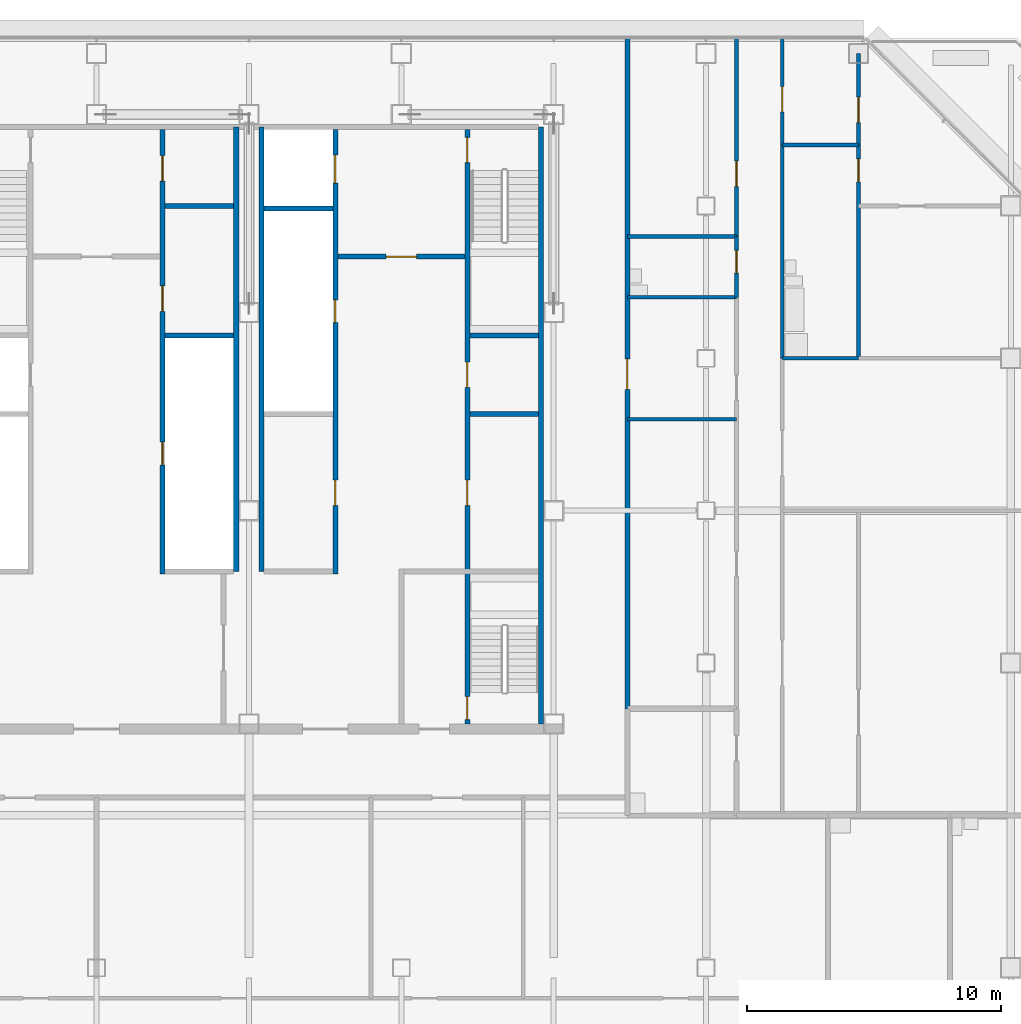
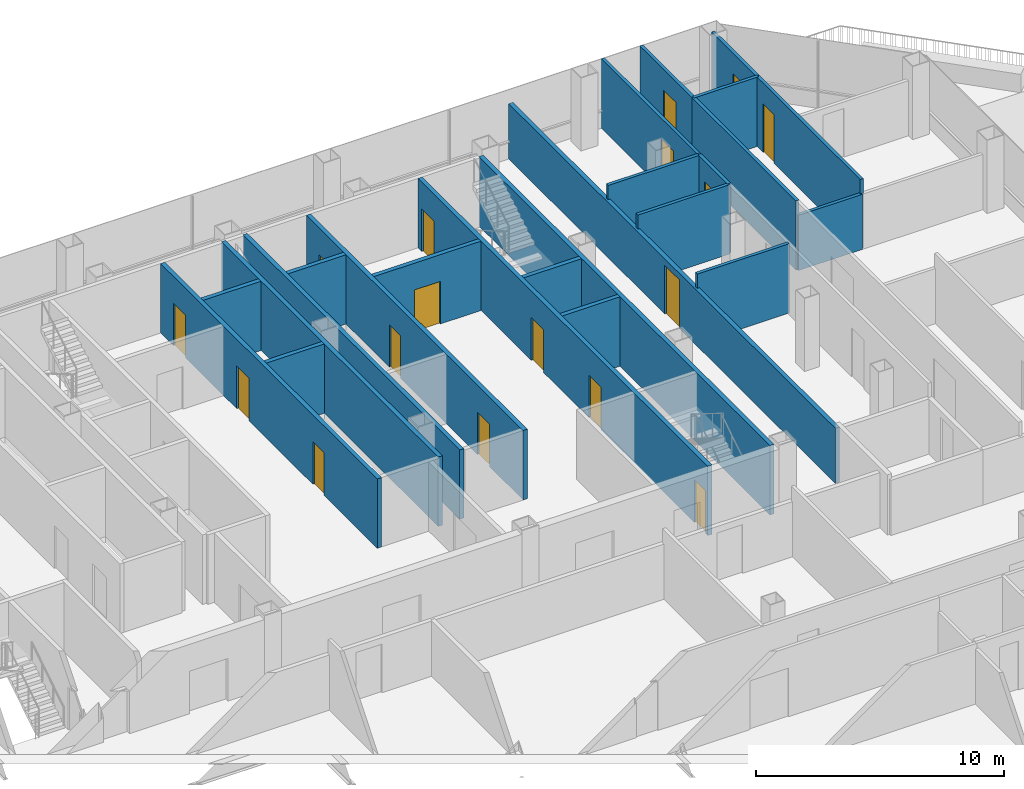
# One storey, part 20 of 28: 24 walls, 17 doors, 17 openings.
"""IFC4 building model written with IfcOpenShell, lengths in metres."""

from ifc_helpers import new_model, si_unit, direction, frame, frame_2d, origin, place, context, subcontext, project, spatial, rectangle, extrude, material, layer, layer_set, type_object, element, fill, save


model = new_model("IFC4")

# Units and contexts
model_context = context("Model", 3, precision=1e-05, world=origin(), true_north=direction((0.0, 1.0)))
body_context = subcontext(model_context, "Body", "Model", "MODEL_VIEW")
ifc_project = project(units=[si_unit("LENGTHUNIT", "METRE"), si_unit("AREAUNIT", "SQUARE_METRE"), si_unit("VOLUMEUNIT", "CUBIC_METRE"), si_unit("PLANEANGLEUNIT", "RADIAN"), si_unit("MASSUNIT", "GRAM", prefix="KILO")], contexts=[model_context])

# Site, building, storey
site_placement = place(None, origin())
site = spatial("IfcSite", under=ifc_project, at=site_placement, CompositionType="ELEMENT")
building_placement = place(site_placement, origin())
building = spatial("IfcBuilding", under=site, at=building_placement, Name="Sorahane Residences", CompositionType="ELEMENT")
storey_placement = place(building_placement, frame((0.0, 0.0, 96.199951171875)))
storey = spatial("IfcBuildingStorey", under=building, at=storey_placement, Name="L20", CompositionType="ELEMENT", Elevation=96.199951171875)

# Walls
ifc_material_1 = material(Name="Concrete C30", Category="concrete")
ifc_layer_1 = layer(ifc_material_1, 0.199951171875)
ifc_layer_set_1 = layer_set([ifc_layer_1], Name="Core face wall 200 EI 180")
wall_type_1 = type_object("IfcWallType", Name="Core face wall 200 EI 180", PredefinedType="SOLIDWALL", material=ifc_layer_set_1)
wall_1_placement = place(storey_placement, frame((41.5, 21.60009765625, 0.0), z_axis=(0.0, 0.0, 1.0), x_axis=(0.0, 1.0, 0.0)))
element("IfcWall", 1, at=wall_1_placement, inside=storey, type_object=wall_type_1, Name="L20 core face wall", PredefinedType="SOLIDWALL", context=body_context, shape_type="SweptSolid", body=[
    extrude(rectangle(XDim=23.5, YDim=0.199951171875, at=frame_2d((11.75, 0.0))), origin(), (0.0, 0.0, 1.0), 3.420166015625),
])
for number, where, z_axis, x_axis, name in (
    (2, (29.5, 27.60009765625, 0.0), (0.0, 0.0, 1.0), (0.0, 1.0, 0.0), "L20 core face wall"),
    (3, (30.5, 27.60009765625, 0.0), (0.0, 0.0, 1.0), (0.0, 1.0, 0.0), "L20 core face wall"),
):
    element("IfcWall", number, at=place(storey_placement, frame(where, z_axis=z_axis, x_axis=x_axis)), inside=storey, type_object=wall_type_1, Name=name, PredefinedType="SOLIDWALL", context=body_context, shape_type="SweptSolid", body=[
        extrude(rectangle(XDim=17.5, YDim=0.199951171875, at=frame_2d((8.75, 0.0))), origin(), (0.0, 0.0, 1.0), 3.420166015625),
    ])

# Wall, opening, door
ifc_material_2 = material(Name="Concrete blockwork C20 wall", Category="masonry")
ifc_layer_2 = layer(ifc_material_2, 0.199951171875)
ifc_layer_set_2 = layer_set([ifc_layer_2], Name="Corridor wall 200 EI 120")
wall_type_2 = type_object("IfcWallType", Name="Corridor wall 200 EI 120", PredefinedType="SOLIDWALL", material=ifc_layer_set_2)
wall_2_placement = place(storey_placement, frame((44.89990234375, 22.199951171875, 0.0), z_axis=(0.0, 0.0, 1.0), x_axis=(0.0, 1.0, 0.0)))
wall_2 = element("IfcWall", 4, at=wall_2_placement, inside=storey, type_object=wall_type_2, Name="L20 corridor wall", PredefinedType="SOLIDWALL", context=body_context, shape_type="SweptSolid", body=[
    extrude(rectangle(XDim=26.400146484375, YDim=0.199951171875, at=frame_2d((13.2001953125, 0.0))), origin(), (0.0, 0.0, 1.0), 2.719970703125),
])
opening_1_placement = place(wall_2_placement, frame((12.580078125, 0.0, 0.0)))
opening_1 = element("IfcOpeningElement", 5, at=opening_1_placement, cuts=wall_2, Name="Opening L20-40", PredefinedType="OPENING", context=body_context, shape_type="SweptSolid", body=[
    extrude(rectangle(XDim=1.199951171875, YDim=2.39990234375, at=frame_2d((0.60009765625, 1.199951171875))), frame((0.0, 0.10986328125, 0.0), z_axis=(0.0, -1.0, 0.0), x_axis=(1.0, 0.0, 0.0)), (0.0, 0.0, 1.0), 0.219970703125),
])
ifc_material_3 = material(Name="Timber veneered fire door", Category="wood")
door_type_1 = type_object("IfcDoorType", Name="Flat entrance door 1200x2400 FD60", OperationType="NOTDEFINED", PredefinedType="DOOR", material=ifc_material_3)
door_1_placement = place(opening_1_placement, frame((1.199951171875, 0.0, 0.0), z_axis=(0.0, 0.0, 1.0), x_axis=(-1.0, 0.0, 0.0)))
door_1 = element("IfcDoor", 6, at=door_1_placement, inside=storey, type_object=door_type_1, Name="Flat entrance door L20-40", OperationType="SINGLE_SWING_LEFT", OverallHeight=2.39990234375, OverallWidth=1.199951171875, PredefinedType="DOOR", context=body_context, shape_type="SweptSolid", body=[
    extrude(rectangle(XDim=1.199951171875, YDim=2.39990234375, at=frame_2d((0.60009765625, 1.199951171875))), frame((0.0, 0.02490234375, 0.0), z_axis=(0.0, -1.0, 0.0), x_axis=(1.0, 0.0, 0.0)), (0.0, 0.0, 1.0), 0.050048828125),
])
fill(opening_1, door_1)

ifc_material_4 = material(Name="Concrete C30", Category="concrete")
ifc_layer_3 = layer(ifc_material_4, 0.199951171875)
ifc_layer_set_3 = layer_set([ifc_layer_3], Name="Front room wall 200 EI 120")
wall_type_3 = type_object("IfcWallType", Name="Front room wall 200 EI 120", PredefinedType="PARTITIONING", material=ifc_layer_set_3)
wall_3_placement = place(storey_placement, frame((33.5, 40.0, 0.0), z_axis=(0.0, 0.0, 1.0), x_axis=(1.0, 0.0, 0.0)))
wall_3 = element("IfcWall", 7, at=wall_3_placement, inside=storey, type_object=wall_type_3, Name="L20 front room wall", PredefinedType="PARTITIONING", context=body_context, shape_type="SweptSolid", body=[
    extrude(rectangle(XDim=5.0, YDim=0.199951171875, at=frame_2d((2.5, 0.0))), origin(), (0.0, 0.0, 1.0), 3.420166015625),
])
opening_2_placement = place(wall_3_placement, frame((1.89990234375, 0.0, 0.0)))
opening_2 = element("IfcOpeningElement", 8, at=opening_2_placement, cuts=wall_3, Name="Opening L20-C10", PredefinedType="OPENING", context=body_context, shape_type="SweptSolid", body=[
    extrude(rectangle(XDim=1.199951171875, YDim=2.10009765625, at=frame_2d((0.60009765625, 1.050048828125))), frame((0.0, 0.10986328125, 0.0), z_axis=(0.0, -1.0, 0.0), x_axis=(1.0, 0.0, 0.0)), (0.0, 0.0, 1.0), 0.219970703125),
])
ifc_material_5 = material(Name="Steel", Category="steel")
door_type_2 = type_object("IfcDoorType", Name="Front room door 1200x2100 FD120", OperationType="NOTDEFINED", PredefinedType="DOOR", material=ifc_material_5)
door_2_placement = place(opening_2_placement, frame((1.199951171875, 0.0, 0.0), z_axis=(0.0, 0.0, 1.0), x_axis=(-1.0, 0.0, 0.0)))
door_2 = element("IfcDoor", 9, at=door_2_placement, inside=storey, type_object=door_type_2, Name="Front room door Firefighting lobby FF2 front room L20", OperationType="DOUBLE_DOOR_SINGLE_SWING", OverallHeight=2.10009765625, OverallWidth=1.199951171875, PredefinedType="DOOR", context=body_context, shape_type="SweptSolid", body=[
    extrude(rectangle(XDim=1.199951171875, YDim=2.10009765625, at=frame_2d((0.60009765625, 1.050048828125))), frame((0.0, 0.02490234375, 0.0), z_axis=(0.0, -1.0, 0.0), x_axis=(1.0, 0.0, 0.0)), (0.0, 0.0, 1.0), 0.050048828125),
])
fill(opening_2, door_2)

# Wall, openings, doors
ifc_material_6 = material(Name="Concrete C30", Category="concrete")
ifc_layer_4 = layer(ifc_material_6, 0.199951171875)
ifc_layer_set_4 = layer_set([ifc_layer_4], Name="Lift shaft wall 200 EI 120")
wall_type_4 = type_object("IfcWallType", Name="Lift shaft wall 200 EI 120", PredefinedType="SOLIDWALL", material=ifc_layer_set_4)
wall_4_placement = place(storey_placement, frame((33.39990234375, 27.5, 0.0), z_axis=(0.0, 0.0, 1.0), x_axis=(0.0, 1.0, 0.0)))
wall_4 = element("IfcWall", 10, at=wall_4_placement, inside=storey, type_object=wall_type_4, Name="L20 lift shaft wall", PredefinedType="SOLIDWALL", context=body_context, shape_type="SweptSolid", body=[
    extrude(rectangle(XDim=17.5, YDim=0.199951171875, at=frame_2d((8.75, 0.0))), origin(), (0.0, 0.0, 1.0), 3.420166015625),
])
opening_3_placement = place(wall_4_placement, frame((15.39990234375, 0.0, 0.0)))
opening_3 = element("IfcOpeningElement", 11, at=opening_3_placement, cuts=wall_4, Name="Opening L20-C11", PredefinedType="OPENING", context=body_context, shape_type="SweptSolid", body=[
    extrude(rectangle(XDim=1.10009765625, YDim=2.10009765625, at=frame_2d((0.550048828125, 1.050048828125))), frame((0.0, 0.10986328125, 0.0), z_axis=(0.0, -1.0, 0.0), x_axis=(1.0, 0.0, 0.0)), (0.0, 0.0, 1.0), 0.219970703125),
])
opening_4_placement = place(wall_4_placement, frame((2.699951171875, 0.0, 0.0)))
opening_4 = element("IfcOpeningElement", 12, at=opening_4_placement, cuts=wall_4, Name="Opening L20-C20", PredefinedType="OPENING", context=body_context, shape_type="SweptSolid", body=[
    extrude(rectangle(XDim=1.0, YDim=2.10009765625, at=frame_2d((0.5, 1.050048828125))), frame((0.0, 0.10986328125, 0.0), z_axis=(0.0, -1.0, 0.0), x_axis=(1.0, 0.0, 0.0)), (0.0, 0.0, 1.0), 0.219970703125),
])
opening_5_placement = place(wall_4_placement, frame((9.89990234375, 0.0, 0.0)))
opening_5 = element("IfcOpeningElement", 13, at=opening_5_placement, cuts=wall_4, Name="Opening L20-C27", PredefinedType="OPENING", context=body_context, shape_type="SweptSolid", body=[
    extrude(rectangle(XDim=0.89990234375, YDim=2.10009765625, at=frame_2d((0.449951171875, 1.050048828125))), frame((0.0, 0.10986328125, 0.0), z_axis=(0.0, -1.0, 0.0), x_axis=(1.0, 0.0, 0.0)), (0.0, 0.0, 1.0), 0.219970703125),
])
ifc_material_7 = material(Name="Aluminium and stainless steel", Category="steel")
door_type_3 = type_object("IfcDoorType", Name="Lift landing door 1100x2100 E 60", OperationType="NOTDEFINED", PredefinedType="DOOR", material=ifc_material_7)
door_3_placement = place(opening_3_placement, origin())
door_3 = element("IfcDoor", 14, at=door_3_placement, inside=storey, type_object=door_type_3, Name="Lift landing door FF2 L20", OperationType="DOUBLE_DOOR_SLIDING", OverallHeight=2.10009765625, OverallWidth=1.10009765625, PredefinedType="DOOR", context=body_context, shape_type="SweptSolid", body=[
    extrude(rectangle(XDim=1.10009765625, YDim=2.10009765625, at=frame_2d((0.550048828125, 1.050048828125))), frame((0.0, 0.02490234375, 0.0), z_axis=(0.0, -1.0, 0.0), x_axis=(1.0, 0.0, 0.0)), (0.0, 0.0, 1.0), 0.050048828125),
])
fill(opening_3, door_3)
ifc_material_8 = material(Name="Steel", Category="steel")
door_type_4 = type_object("IfcDoorType", Name="Riser door 900x2100 FD120", OperationType="NOTDEFINED", PredefinedType="DOOR", material=ifc_material_8)
door_4_placement = place(opening_5_placement, frame((0.89990234375, 0.0, 0.0), z_axis=(0.0, 0.0, 1.0), x_axis=(-1.0, 0.0, 0.0)))
door_4 = element("IfcDoor", 15, at=door_4_placement, inside=storey, type_object=door_type_4, Name="Riser door R2 L20", OperationType="SINGLE_SWING_LEFT", OverallHeight=2.10009765625, OverallWidth=0.89990234375, PredefinedType="DOOR", context=body_context, shape_type="SweptSolid", body=[
    extrude(rectangle(XDim=0.89990234375, YDim=2.10009765625, at=frame_2d((0.449951171875, 1.050048828125))), frame((0.0, 0.02490234375, 0.0), z_axis=(0.0, -1.0, 0.0), x_axis=(1.0, 0.0, 0.0)), (0.0, 0.0, 1.0), 0.050048828125),
])
fill(opening_5, door_4)
ifc_material_9 = material(Name="Steel", Category="steel")
door_type_5 = type_object("IfcDoorType", Name="Service room door 1000x2100 FD60", OperationType="NOTDEFINED", PredefinedType="DOOR", material=ifc_material_9)
door_5_placement = place(opening_4_placement, origin())
door_5 = element("IfcDoor", 16, at=door_5_placement, inside=storey, type_object=door_type_5, Name="Service room door Gift store L20", OperationType="SINGLE_SWING_RIGHT", OverallHeight=2.10009765625, OverallWidth=1.0, PredefinedType="DOOR", context=body_context, shape_type="SweptSolid", body=[
    extrude(rectangle(XDim=1.0, YDim=2.10009765625, at=frame_2d((0.5, 1.050048828125))), frame((0.0, 0.02490234375, 0.0), z_axis=(0.0, -1.0, 0.0), x_axis=(1.0, 0.0, 0.0)), (0.0, 0.0, 1.0), 0.050048828125),
])
fill(opening_4, door_5)

# Wall
wall_5_placement = place(storey_placement, frame((30.60009765625, 41.89990234375, 0.0), z_axis=(0.0, 0.0, 1.0), x_axis=(1.0, 0.0, 0.0)))
element("IfcWall", 17, at=wall_5_placement, inside=storey, type_object=wall_type_4, Name="L20 lift shaft wall", PredefinedType="SOLIDWALL", context=body_context, shape_type="SweptSolid", body=[
    extrude(rectangle(XDim=2.699951171875, YDim=0.199951171875, at=frame_2d((1.35009765625, 0.0))), origin(), (0.0, 0.0, 1.0), 3.420166015625),
])

# Wall, opening, door
ifc_material_10 = material(Name="Gypsum board partition on steel studs", Category="steel")
ifc_layer_5 = layer(ifc_material_10, 0.14990234375)
ifc_layer_set_5 = layer_set([ifc_layer_5], Name="Partition 150 EI 90")
wall_type_5 = type_object("IfcWallType", Name="Partition 150 EI 90", PredefinedType="PARTITIONING", material=ifc_layer_set_5)
wall_6_placement = place(storey_placement, frame((49.199951171875, 40.800048828125, 0.0), z_axis=(0.0, 0.0, 1.0), x_axis=(0.0, 1.0, 0.0)))
wall_6 = element("IfcWall", 18, at=wall_6_placement, inside=storey, type_object=wall_type_5, Name="L20 partition", PredefinedType="PARTITIONING", context=body_context, shape_type="SweptSolid", body=[
    extrude(rectangle(XDim=7.800048828125, YDim=0.14990234375, at=frame_2d((3.89990234375, 0.0))), origin(), (0.0, 0.0, 1.0), 3.420166015625),
])
opening_6_placement = place(wall_6_placement, frame((1.9599609375, 0.0, 0.0)))
opening_6 = element("IfcOpeningElement", 19, at=opening_6_placement, cuts=wall_6, Name="Opening L20-30", PredefinedType="OPENING", context=body_context, shape_type="SweptSolid", body=[
    extrude(rectangle(XDim=1.0, YDim=2.39990234375, at=frame_2d((0.5, 1.199951171875))), frame((0.0, 0.0849609375, 0.0), z_axis=(0.0, -1.0, 0.0), x_axis=(1.0, 0.0, 0.0)), (0.0, 0.0, 1.0), 0.169921875),
])
ifc_material_11 = material(Name="Timber veneered fire door", Category="wood")
door_type_6 = type_object("IfcDoorType", Name="Room door 1000x2400 FD30", OperationType="NOTDEFINED", PredefinedType="DOOR", material=ifc_material_11)
door_6_placement = place(opening_6_placement, origin())
door_6 = element("IfcDoor", 20, at=door_6_placement, inside=storey, type_object=door_type_6, Name="Room door L20-30", OperationType="SINGLE_SWING_RIGHT", OverallHeight=2.39990234375, OverallWidth=1.0, PredefinedType="DOOR", context=body_context, shape_type="SweptSolid", body=[
    extrude(rectangle(XDim=1.0, YDim=2.39990234375, at=frame_2d((0.5, 1.199951171875))), frame((0.0, 0.02490234375, 0.0), z_axis=(0.0, -1.0, 0.0), x_axis=(1.0, 0.0, 0.0)), (0.0, 0.0, 1.0), 0.050048828125),
])
fill(opening_6, door_6)

wall_7_placement = place(storey_placement, frame((51.0, 44.39990234375, 0.0), z_axis=(0.0, 0.0, 1.0), x_axis=(0.0, 1.0, 0.0)))
wall_7 = element("IfcWall", 21, at=wall_7_placement, inside=storey, type_object=wall_type_5, Name="L20 partition", PredefinedType="PARTITIONING", context=body_context, shape_type="SweptSolid", body=[
    extrude(rectangle(XDim=4.2001953125, YDim=0.14990234375, at=frame_2d((2.10009765625, 0.0))), origin(), (0.0, 0.0, 1.0), 3.420166015625),
])
opening_7_placement = place(wall_7_placement, frame((1.300048828125, 0.0, 0.0)))
opening_7 = element("IfcOpeningElement", 22, at=opening_7_placement, cuts=wall_7, Name="Opening L20-33", PredefinedType="OPENING", context=body_context, shape_type="SweptSolid", body=[
    extrude(rectangle(XDim=1.0, YDim=2.39990234375, at=frame_2d((0.5, 1.199951171875))), frame((0.0, 0.0849609375, 0.0), z_axis=(0.0, -1.0, 0.0), x_axis=(1.0, 0.0, 0.0)), (0.0, 0.0, 1.0), 0.169921875),
])
door_7_placement = place(opening_7_placement, frame((1.0, 0.0, 0.0), z_axis=(0.0, 0.0, 1.0), x_axis=(-1.0, 0.0, 0.0)))
door_7 = element("IfcDoor", 23, at=door_7_placement, inside=storey, type_object=door_type_6, Name="Room door L20-33", OperationType="SINGLE_SWING_LEFT", OverallHeight=2.39990234375, OverallWidth=1.0, PredefinedType="DOOR", context=body_context, shape_type="SweptSolid", body=[
    extrude(rectangle(XDim=1.0, YDim=2.39990234375, at=frame_2d((0.5, 1.199951171875))), frame((0.0, 0.02490234375, 0.0), z_axis=(0.0, -1.0, 0.0), x_axis=(1.0, 0.0, 0.0)), (0.0, 0.0, 1.0), 0.050048828125),
])
fill(opening_7, door_7)

wall_8_placement = place(storey_placement, frame((54.0, 44.39990234375, 0.0), z_axis=(0.0, 0.0, 1.0), x_axis=(0.0, 1.0, 0.0)))
wall_8 = element("IfcWall", 24, at=wall_8_placement, inside=storey, type_object=wall_type_5, Name="L20 partition", PredefinedType="PARTITIONING", context=body_context, shape_type="SweptSolid", body=[
    extrude(rectangle(XDim=3.60009765625, YDim=0.14990234375, at=frame_2d((1.800048828125, 0.0))), origin(), (0.0, 0.0, 1.0), 3.420166015625),
])
opening_8_placement = place(wall_8_placement, frame((0.8798828125, 0.0, 0.0)))
opening_8 = element("IfcOpeningElement", 25, at=opening_8_placement, cuts=wall_8, Name="Opening L20-35", PredefinedType="OPENING", context=body_context, shape_type="SweptSolid", body=[
    extrude(rectangle(XDim=1.0, YDim=2.39990234375, at=frame_2d((0.5, 1.199951171875))), frame((0.0, 0.0849609375, 0.0), z_axis=(0.0, -1.0, 0.0), x_axis=(1.0, 0.0, 0.0)), (0.0, 0.0, 1.0), 0.169921875),
])
door_8_placement = place(opening_8_placement, frame((1.0, 0.0, 0.0), z_axis=(0.0, 0.0, 1.0), x_axis=(-1.0, 0.0, 0.0)))
door_8 = element("IfcDoor", 26, at=door_8_placement, inside=storey, type_object=door_type_6, Name="Room door L20-35", OperationType="SINGLE_SWING_LEFT", OverallHeight=2.39990234375, OverallWidth=1.0, PredefinedType="DOOR", context=body_context, shape_type="SweptSolid", body=[
    extrude(rectangle(XDim=1.0, YDim=2.39990234375, at=frame_2d((0.5, 1.199951171875))), frame((0.0, 0.02490234375, 0.0), z_axis=(0.0, -1.0, 0.0), x_axis=(1.0, 0.0, 0.0)), (0.0, 0.0, 1.0), 0.050048828125),
])
fill(opening_8, door_8)

# Wall
wall_9_placement = place(storey_placement, frame((44.89990234375, 33.60009765625, 0.0), z_axis=(0.0, 0.0, 1.0), x_axis=(1.0, 0.0, 0.0)))
element("IfcWall", 27, at=wall_9_placement, inside=storey, type_object=wall_type_5, Name="L20 partition", PredefinedType="PARTITIONING", context=body_context, shape_type="SweptSolid", body=[
    extrude(rectangle(XDim=4.300048828125, YDim=0.14990234375, at=frame_2d((2.14990234375, 0.0))), origin(), (0.0, 0.0, 1.0), 3.420166015625),
])

# Wall, openings, doors
ifc_material_12 = material(Name="Concrete C30", Category="concrete")
ifc_layer_6 = layer(ifc_material_12, 0.199951171875)
ifc_layer_set_6 = layer_set([ifc_layer_6], Name="Riser shaft wall 200 EI 120")
wall_type_6 = type_object("IfcWallType", Name="Riser shaft wall 200 EI 120", PredefinedType="SOLIDWALL", material=ifc_layer_set_6)
wall_10_placement = place(storey_placement, frame((26.60009765625, 27.5, 0.0), z_axis=(0.0, 0.0, 1.0), x_axis=(0.0, 1.0, 0.0)))
wall_10 = element("IfcWall", 28, at=wall_10_placement, inside=storey, type_object=wall_type_6, Name="L20 riser wall", PredefinedType="SOLIDWALL", context=body_context, shape_type="SweptSolid", body=[
    extrude(rectangle(XDim=17.5, YDim=0.199951171875, at=frame_2d((8.75, 0.0))), origin(), (0.0, 0.0, 1.0), 3.420166015625),
])
opening_9_placement = place(wall_10_placement, frame((4.300048828125, 0.0, 0.0)))
opening_9 = element("IfcOpeningElement", 29, at=opening_9_placement, cuts=wall_10, Name="Opening L20-C29", PredefinedType="OPENING", context=body_context, shape_type="SweptSolid", body=[
    extrude(rectangle(XDim=0.89990234375, YDim=2.10009765625, at=frame_2d((0.449951171875, 1.050048828125))), frame((0.0, 0.10986328125, 0.0), z_axis=(0.0, -1.0, 0.0), x_axis=(1.0, 0.0, 0.0)), (0.0, 0.0, 1.0), 0.219970703125),
])
opening_10_placement = place(wall_10_placement, frame((10.35009765625, 0.0, 0.0)))
opening_10 = element("IfcOpeningElement", 30, at=opening_10_placement, cuts=wall_10, Name="Opening L20-C30", PredefinedType="OPENING", context=body_context, shape_type="SweptSolid", body=[
    extrude(rectangle(XDim=1.0, YDim=2.10009765625, at=frame_2d((0.5, 1.050048828125))), frame((0.0, 0.10986328125, 0.0), z_axis=(0.0, -1.0, 0.0), x_axis=(1.0, 0.0, 0.0)), (0.0, 0.0, 1.0), 0.219970703125),
])
opening_11_placement = place(wall_10_placement, frame((15.47509765625, 0.0, 0.0)))
opening_11 = element("IfcOpeningElement", 31, at=opening_11_placement, cuts=wall_10, Name="Opening L20-C31", PredefinedType="OPENING", context=body_context, shape_type="SweptSolid", body=[
    extrude(rectangle(XDim=1.0, YDim=2.10009765625, at=frame_2d((0.5, 1.050048828125))), frame((0.0, 0.10986328125, 0.0), z_axis=(0.0, -1.0, 0.0), x_axis=(1.0, 0.0, 0.0)), (0.0, 0.0, 1.0), 0.219970703125),
])
door_9_placement = place(opening_9_placement, origin())
door_9 = element("IfcDoor", 32, at=door_9_placement, inside=storey, type_object=door_type_4, Name="Riser door R4 L20", OperationType="SINGLE_SWING_LEFT", OverallHeight=2.10009765625, OverallWidth=0.89990234375, PredefinedType="DOOR", context=body_context, shape_type="SweptSolid", body=[
    extrude(rectangle(XDim=0.89990234375, YDim=2.10009765625, at=frame_2d((0.449951171875, 1.050048828125))), frame((0.0, 0.02490234375, 0.0), z_axis=(0.0, -1.0, 0.0), x_axis=(1.0, 0.0, 0.0)), (0.0, 0.0, 1.0), 0.050048828125),
])
fill(opening_9, door_9)
door_10_placement = place(opening_10_placement, frame((1.0, 0.0, 0.0), z_axis=(0.0, 0.0, 1.0), x_axis=(-1.0, 0.0, 0.0)))
door_10 = element("IfcDoor", 33, at=door_10_placement, inside=storey, type_object=door_type_5, Name="Service room door Parcel room L20", OperationType="SINGLE_SWING_LEFT", OverallHeight=2.10009765625, OverallWidth=1.0, PredefinedType="DOOR", context=body_context, shape_type="SweptSolid", body=[
    extrude(rectangle(XDim=1.0, YDim=2.10009765625, at=frame_2d((0.5, 1.050048828125))), frame((0.0, 0.02490234375, 0.0), z_axis=(0.0, -1.0, 0.0), x_axis=(1.0, 0.0, 0.0)), (0.0, 0.0, 1.0), 0.050048828125),
])
fill(opening_10, door_10)
door_11_placement = place(opening_11_placement, frame((1.0, 0.0, 0.0), z_axis=(0.0, 0.0, 1.0), x_axis=(-1.0, 0.0, 0.0)))
door_11 = element("IfcDoor", 34, at=door_11_placement, inside=storey, type_object=door_type_5, Name="Service room door Refuse room L20", OperationType="SINGLE_SWING_RIGHT", OverallHeight=2.10009765625, OverallWidth=1.0, PredefinedType="DOOR", context=body_context, shape_type="SweptSolid", body=[
    extrude(rectangle(XDim=1.0, YDim=2.10009765625, at=frame_2d((0.5, 1.050048828125))), frame((0.0, 0.02490234375, 0.0), z_axis=(0.0, -1.0, 0.0), x_axis=(1.0, 0.0, 0.0)), (0.0, 0.0, 1.0), 0.050048828125),
])
fill(opening_11, door_11)

# Walls
wall_11_placement = place(storey_placement, frame((26.699951171875, 36.89990234375, 0.0), z_axis=(0.0, 0.0, 1.0), x_axis=(1.0, 0.0, 0.0)))
element("IfcWall", 35, at=wall_11_placement, inside=storey, type_object=wall_type_6, Name="L20 riser wall", PredefinedType="SOLIDWALL", context=body_context, shape_type="SweptSolid", body=[
    extrude(rectangle(XDim=2.699951171875, YDim=0.199951171875, at=frame_2d((1.35009765625, 0.0))), origin(), (0.0, 0.0, 1.0), 3.420166015625),
])
ifc_material_13 = material(Name="Concrete C30", Category="concrete")
ifc_layer_7 = layer(ifc_material_13, 0.199951171875)
ifc_layer_set_7 = layer_set([ifc_layer_7], Name="Service room partition 200 EI 60")
wall_type_7 = type_object("IfcWallType", Name="Service room partition 200 EI 60", PredefinedType="PARTITIONING", material=ifc_layer_set_7)
for number, where, z_axis, x_axis, name in (
    (36, (38.699951171875, 33.800048828125, 0.0), (0.0, 0.0, 1.0), (1.0, 0.0, 0.0), "L20 service room wall"),
    (37, (26.699951171875, 42.0, 0.0), (0.0, 0.0, 1.0), (1.0, 0.0, 0.0), "L20 service room wall"),
):
    element("IfcWall", number, at=place(storey_placement, frame(where, z_axis=z_axis, x_axis=x_axis)), inside=storey, type_object=wall_type_7, Name=name, PredefinedType="PARTITIONING", context=body_context, shape_type="SweptSolid", body=[
        extrude(rectangle(XDim=2.699951171875, YDim=0.199951171875, at=frame_2d((1.35009765625, 0.0))), origin(), (0.0, 0.0, 1.0), 3.420166015625),
    ])

# Wall, openings, doors
ifc_material_14 = material(Name="Concrete C30", Category="concrete")
ifc_layer_8 = layer(ifc_material_14, 0.199951171875)
ifc_layer_set_8 = layer_set([ifc_layer_8], Name="Stair enclosure wall 200 EI 120")
wall_type_8 = type_object("IfcWallType", Name="Stair enclosure wall 200 EI 120", PredefinedType="SOLIDWALL", material=ifc_layer_set_8)
wall_12_placement = place(storey_placement, frame((38.60009765625, 21.60009765625, 0.0), z_axis=(0.0, 0.0, 1.0), x_axis=(0.0, 1.0, 0.0)))
wall_12 = element("IfcWall", 38, at=wall_12_placement, inside=storey, type_object=wall_type_8, Name="L20 stair enclosure wall", PredefinedType="SOLIDWALL", context=body_context, shape_type="SweptSolid", body=[
    extrude(rectangle(XDim=23.39990234375, YDim=0.199951171875, at=frame_2d((11.699951171875, 0.0))), origin(), (0.0, 0.0, 1.0), 3.420166015625),
])
opening_12_placement = place(wall_12_placement, frame((8.60009765625, 0.0, 0.0)))
opening_12 = element("IfcOpeningElement", 39, at=opening_12_placement, cuts=wall_12, Name="Opening L20-C18", PredefinedType="OPENING", context=body_context, shape_type="SweptSolid", body=[
    extrude(rectangle(XDim=1.0, YDim=2.10009765625, at=frame_2d((0.5, 1.050048828125))), frame((0.0, 0.10986328125, 0.0), z_axis=(0.0, -1.0, 0.0), x_axis=(1.0, 0.0, 0.0)), (0.0, 0.0, 1.0), 0.219970703125),
])
opening_13_placement = place(wall_12_placement, frame((13.25, 0.0, 0.0)))
opening_13 = element("IfcOpeningElement", 40, at=opening_13_placement, cuts=wall_12, Name="Opening L20-C19", PredefinedType="OPENING", context=body_context, shape_type="SweptSolid", body=[
    extrude(rectangle(XDim=1.0, YDim=2.10009765625, at=frame_2d((0.5, 1.050048828125))), frame((0.0, 0.10986328125, 0.0), z_axis=(0.0, -1.0, 0.0), x_axis=(1.0, 0.0, 0.0)), (0.0, 0.0, 1.0), 0.219970703125),
])
opening_14_placement = place(wall_12_placement, frame((22.10009765625, 0.0, 0.0)))
opening_14 = element("IfcOpeningElement", 41, at=opening_14_placement, cuts=wall_12, Name="Opening L20-C22", PredefinedType="OPENING", context=body_context, shape_type="SweptSolid", body=[
    extrude(rectangle(XDim=1.0, YDim=2.10009765625, at=frame_2d((0.5, 1.050048828125))), frame((0.0, 0.10986328125, 0.0), z_axis=(0.0, -1.0, 0.0), x_axis=(1.0, 0.0, 0.0)), (0.0, 0.0, 1.0), 0.219970703125),
])
opening_15_placement = place(wall_12_placement, frame((0.175048828125, 0.0, 0.0)))
opening_15 = element("IfcOpeningElement", 42, at=opening_15_placement, cuts=wall_12, Name="Opening L20-C25", PredefinedType="OPENING", context=body_context, shape_type="SweptSolid", body=[
    extrude(rectangle(XDim=0.89990234375, YDim=2.10009765625, at=frame_2d((0.449951171875, 1.050048828125))), frame((0.0, 0.10986328125, 0.0), z_axis=(0.0, -1.0, 0.0), x_axis=(1.0, 0.0, 0.0)), (0.0, 0.0, 1.0), 0.219970703125),
])
door_12_placement = place(opening_12_placement, frame((1.0, 0.0, 0.0), z_axis=(0.0, 0.0, 1.0), x_axis=(-1.0, 0.0, 0.0)))
door_12 = element("IfcDoor", 43, at=door_12_placement, inside=storey, type_object=door_type_5, Name="Service room door Gift store L20", OperationType="SINGLE_SWING_RIGHT", OverallHeight=2.10009765625, OverallWidth=1.0, PredefinedType="DOOR", context=body_context, shape_type="SweptSolid", body=[
    extrude(rectangle(XDim=1.0, YDim=2.10009765625, at=frame_2d((0.5, 1.050048828125))), frame((0.0, 0.02490234375, 0.0), z_axis=(0.0, -1.0, 0.0), x_axis=(1.0, 0.0, 0.0)), (0.0, 0.0, 1.0), 0.050048828125),
])
fill(opening_12, door_12)
door_13_placement = place(opening_13_placement, frame((1.0, 0.0, 0.0), z_axis=(0.0, 0.0, 1.0), x_axis=(-1.0, 0.0, 0.0)))
door_13 = element("IfcDoor", 44, at=door_13_placement, inside=storey, type_object=door_type_5, Name="Service room door Cinema room L20", OperationType="SINGLE_SWING_LEFT", OverallHeight=2.10009765625, OverallWidth=1.0, PredefinedType="DOOR", context=body_context, shape_type="SweptSolid", body=[
    extrude(rectangle(XDim=1.0, YDim=2.10009765625, at=frame_2d((0.5, 1.050048828125))), frame((0.0, 0.02490234375, 0.0), z_axis=(0.0, -1.0, 0.0), x_axis=(1.0, 0.0, 0.0)), (0.0, 0.0, 1.0), 0.050048828125),
])
fill(opening_13, door_13)
ifc_material_15 = material(Name="Steel", Category="steel")
door_type_7 = type_object("IfcDoorType", Name="Stair door 1000x2100 FD120", OperationType="NOTDEFINED", PredefinedType="DOOR", material=ifc_material_15)
door_14_placement = place(opening_14_placement, frame((1.0, 0.0, 0.0), z_axis=(0.0, 0.0, 1.0), x_axis=(-1.0, 0.0, 0.0)))
door_14 = element("IfcDoor", 45, at=door_14_placement, inside=storey, type_object=door_type_7, Name="Stair door S2 L20", OperationType="SINGLE_SWING_LEFT", OverallHeight=2.10009765625, OverallWidth=1.0, PredefinedType="DOOR", context=body_context, shape_type="SweptSolid", body=[
    extrude(rectangle(XDim=1.0, YDim=2.10009765625, at=frame_2d((0.5, 1.050048828125))), frame((0.0, 0.02490234375, 0.0), z_axis=(0.0, -1.0, 0.0), x_axis=(1.0, 0.0, 0.0)), (0.0, 0.0, 1.0), 0.050048828125),
])
fill(opening_14, door_14)
ifc_material_16 = material(Name="Steel", Category="steel")
door_type_8 = type_object("IfcDoorType", Name="Stair door 900x2100 FD120", OperationType="NOTDEFINED", PredefinedType="DOOR", material=ifc_material_16)
door_15_placement = place(opening_15_placement, frame((0.89990234375, 0.0, 0.0), z_axis=(0.0, 0.0, 1.0), x_axis=(-1.0, 0.0, 0.0)))
door_15 = element("IfcDoor", 46, at=door_15_placement, inside=storey, type_object=door_type_8, Name="Stair door S5 L20", OperationType="SINGLE_SWING_LEFT", OverallHeight=2.10009765625, OverallWidth=0.89990234375, PredefinedType="DOOR", context=body_context, shape_type="SweptSolid", body=[
    extrude(rectangle(XDim=0.89990234375, YDim=2.10009765625, at=frame_2d((0.449951171875, 1.050048828125))), frame((0.0, 0.02490234375, 0.0), z_axis=(0.0, -1.0, 0.0), x_axis=(1.0, 0.0, 0.0)), (0.0, 0.0, 1.0), 0.050048828125),
])
fill(opening_15, door_15)

# Wall
wall_13_placement = place(storey_placement, frame((38.699951171875, 36.89990234375, 0.0), z_axis=(0.0, 0.0, 1.0), x_axis=(1.0, 0.0, 0.0)))
element("IfcWall", 47, at=wall_13_placement, inside=storey, type_object=wall_type_8, Name="L20 stair enclosure wall", PredefinedType="SOLIDWALL", context=body_context, shape_type="SweptSolid", body=[
    extrude(rectangle(XDim=2.699951171875, YDim=0.199951171875, at=frame_2d((1.35009765625, 0.0))), origin(), (0.0, 0.0, 1.0), 3.420166015625),
])

# Wall, opening, door
ifc_material_17 = material(Name="Gypsum board partition on steel studs", Category="steel")
ifc_layer_9 = layer(ifc_material_17, 0.14990234375)
ifc_layer_set_9 = layer_set([ifc_layer_9], Name="Wet wall 150 EI 90")
wall_type_9 = type_object("IfcWallType", Name="Wet wall 150 EI 90", PredefinedType="PARTITIONING", material=ifc_layer_set_9)
wall_14_placement = place(storey_placement, frame((49.199951171875, 38.39990234375, 0.0), z_axis=(0.0, 0.0, 1.0), x_axis=(0.0, 1.0, 0.0)))
wall_14 = element("IfcWall", 48, at=wall_14_placement, inside=storey, type_object=wall_type_9, Name="L20 wet wall", PredefinedType="PARTITIONING", context=body_context, shape_type="SweptSolid", body=[
    extrude(rectangle(XDim=2.400146484375, YDim=0.14990234375, at=frame_2d((1.2001953125, 0.0))), origin(), (0.0, 0.0, 1.0), 3.420166015625),
])
opening_16_placement = place(wall_14_placement, frame((0.949951171875, 0.0, 0.0)))
opening_16 = element("IfcOpeningElement", 49, at=opening_16_placement, cuts=wall_14, Name="Opening L20-29", PredefinedType="OPENING", context=body_context, shape_type="SweptSolid", body=[
    extrude(rectangle(XDim=0.89990234375, YDim=2.39990234375, at=frame_2d((0.449951171875, 1.199951171875))), frame((0.0, 0.0849609375, 0.0), z_axis=(0.0, -1.0, 0.0), x_axis=(1.0, 0.0, 0.0)), (0.0, 0.0, 1.0), 0.169921875),
])
ifc_material_18 = material(Name="Timber veneered fire door", Category="wood")
door_type_9 = type_object("IfcDoorType", Name="Bathroom door 900x2400 FD30", OperationType="NOTDEFINED", PredefinedType="DOOR", material=ifc_material_18)
door_16_placement = place(opening_16_placement, frame((0.89990234375, 0.0, 0.0), z_axis=(0.0, 0.0, 1.0), x_axis=(-1.0, 0.0, 0.0)))
door_16 = element("IfcDoor", 50, at=door_16_placement, inside=storey, type_object=door_type_9, Name="Bathroom door L20-29", OperationType="SINGLE_SWING_RIGHT", OverallHeight=2.39990234375, OverallWidth=0.89990234375, PredefinedType="DOOR", context=body_context, shape_type="SweptSolid", body=[
    extrude(rectangle(XDim=0.89990234375, YDim=2.39990234375, at=frame_2d((0.449951171875, 1.199951171875))), frame((0.0, 0.02490234375, 0.0), z_axis=(0.0, -1.0, 0.0), x_axis=(1.0, 0.0, 0.0)), (0.0, 0.0, 1.0), 0.050048828125),
])
fill(opening_16, door_16)

# Wall
wall_15_placement = place(storey_placement, frame((51.0, 36.0, 0.0), z_axis=(0.0, 0.0, 1.0), x_axis=(0.0, 1.0, 0.0)))
element("IfcWall", 51, at=wall_15_placement, inside=storey, type_object=wall_type_9, Name="L20 wet wall", PredefinedType="PARTITIONING", context=body_context, shape_type="SweptSolid", body=[
    extrude(rectangle(XDim=8.39990234375, YDim=0.14990234375, at=frame_2d((4.199951171875, 0.0))), origin(), (0.0, 0.0, 1.0), 3.420166015625),
])

# Wall, opening, door
wall_16_placement = place(storey_placement, frame((54.0, 36.0, 0.0), z_axis=(0.0, 0.0, 1.0), x_axis=(0.0, 1.0, 0.0)))
wall_16 = element("IfcWall", 52, at=wall_16_placement, inside=storey, type_object=wall_type_9, Name="L20 wet wall", PredefinedType="PARTITIONING", context=body_context, shape_type="SweptSolid", body=[
    extrude(rectangle(XDim=8.39990234375, YDim=0.14990234375, at=frame_2d((4.199951171875, 0.0))), origin(), (0.0, 0.0, 1.0), 3.420166015625),
])
opening_17_placement = place(wall_16_placement, frame((6.949951171875, 0.0, 0.0)))
opening_17 = element("IfcOpeningElement", 53, at=opening_17_placement, cuts=wall_16, Name="Opening L20-37", PredefinedType="OPENING", context=body_context, shape_type="SweptSolid", body=[
    extrude(rectangle(XDim=0.89990234375, YDim=2.39990234375, at=frame_2d((0.449951171875, 1.199951171875))), frame((0.0, 0.0849609375, 0.0), z_axis=(0.0, -1.0, 0.0), x_axis=(1.0, 0.0, 0.0)), (0.0, 0.0, 1.0), 0.169921875),
])
door_17_placement = place(opening_17_placement, frame((0.89990234375, 0.0, 0.0), z_axis=(0.0, 0.0, 1.0), x_axis=(-1.0, 0.0, 0.0)))
door_17 = element("IfcDoor", 54, at=door_17_placement, inside=storey, type_object=door_type_9, Name="Bathroom door L20-37", OperationType="SINGLE_SWING_LEFT", OverallHeight=2.39990234375, OverallWidth=0.89990234375, PredefinedType="DOOR", context=body_context, shape_type="SweptSolid", body=[
    extrude(rectangle(XDim=0.89990234375, YDim=2.39990234375, at=frame_2d((0.449951171875, 1.199951171875))), frame((0.0, 0.02490234375, 0.0), z_axis=(0.0, -1.0, 0.0), x_axis=(1.0, 0.0, 0.0)), (0.0, 0.0, 1.0), 0.050048828125),
])
fill(opening_17, door_17)

# Walls
wall_17_placement = place(storey_placement, frame((51.0, 36.0, 0.0), z_axis=(0.0, 0.0, 1.0), x_axis=(1.0, 0.0, 0.0)))
element("IfcWall", 55, at=wall_17_placement, inside=storey, type_object=wall_type_9, Name="L20 wet wall", PredefinedType="PARTITIONING", context=body_context, shape_type="SweptSolid", body=[
    extrude(rectangle(XDim=3.0, YDim=0.14990234375, at=frame_2d((1.5, 0.0))), origin(), (0.0, 0.0, 1.0), 2.719970703125),
])
for number, where, z_axis, x_axis, name in (
    (56, (44.89990234375, 38.39990234375, 0.0), (0.0, 0.0, 1.0), (1.0, 0.0, 0.0), "L20 wet wall"),
    (57, (44.89990234375, 40.800048828125, 0.0), (0.0, 0.0, 1.0), (1.0, 0.0, 0.0), "L20 wet wall"),
):
    element("IfcWall", number, at=place(storey_placement, frame(where, z_axis=z_axis, x_axis=x_axis)), inside=storey, type_object=wall_type_9, Name=name, PredefinedType="PARTITIONING", context=body_context, shape_type="SweptSolid", body=[
        extrude(rectangle(XDim=4.300048828125, YDim=0.14990234375, at=frame_2d((2.14990234375, 0.0))), origin(), (0.0, 0.0, 1.0), 3.420166015625),
    ])
wall_18_placement = place(storey_placement, frame((51.0, 44.39990234375, 0.0), z_axis=(0.0, 0.0, 1.0), x_axis=(1.0, 0.0, 0.0)))
element("IfcWall", 58, at=wall_18_placement, inside=storey, type_object=wall_type_9, Name="L20 wet wall", PredefinedType="PARTITIONING", context=body_context, shape_type="SweptSolid", body=[
    extrude(rectangle(XDim=3.0, YDim=0.14990234375, at=frame_2d((1.5, 0.0))), origin(), (0.0, 0.0, 1.0), 3.420166015625),
])

save(model, "model.ifc")
